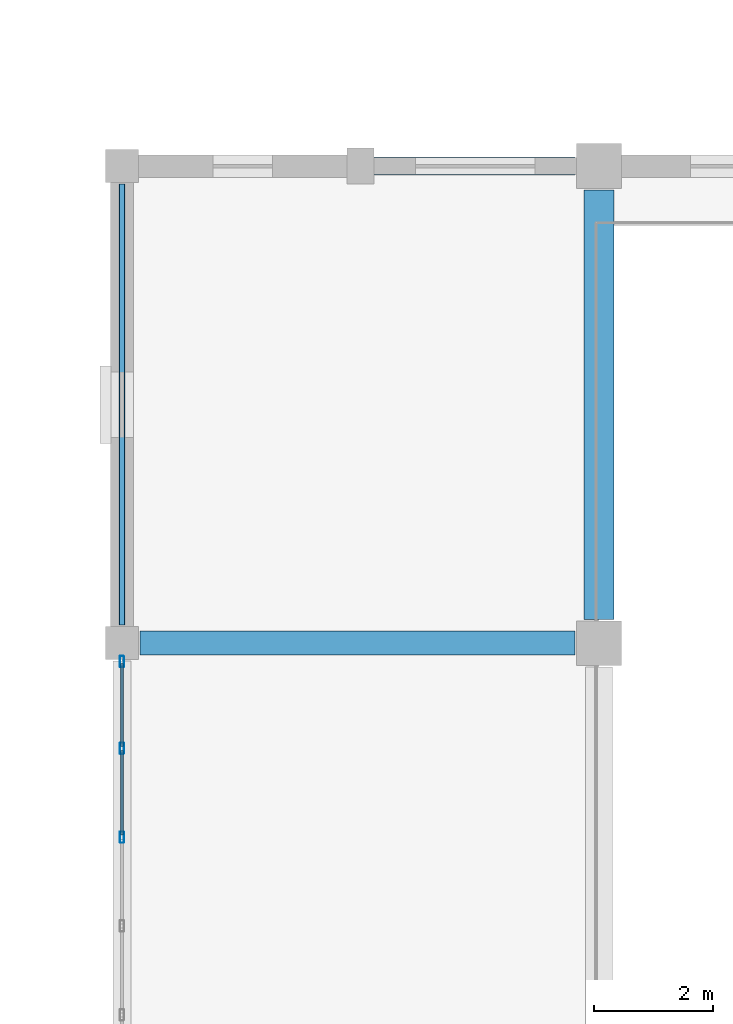
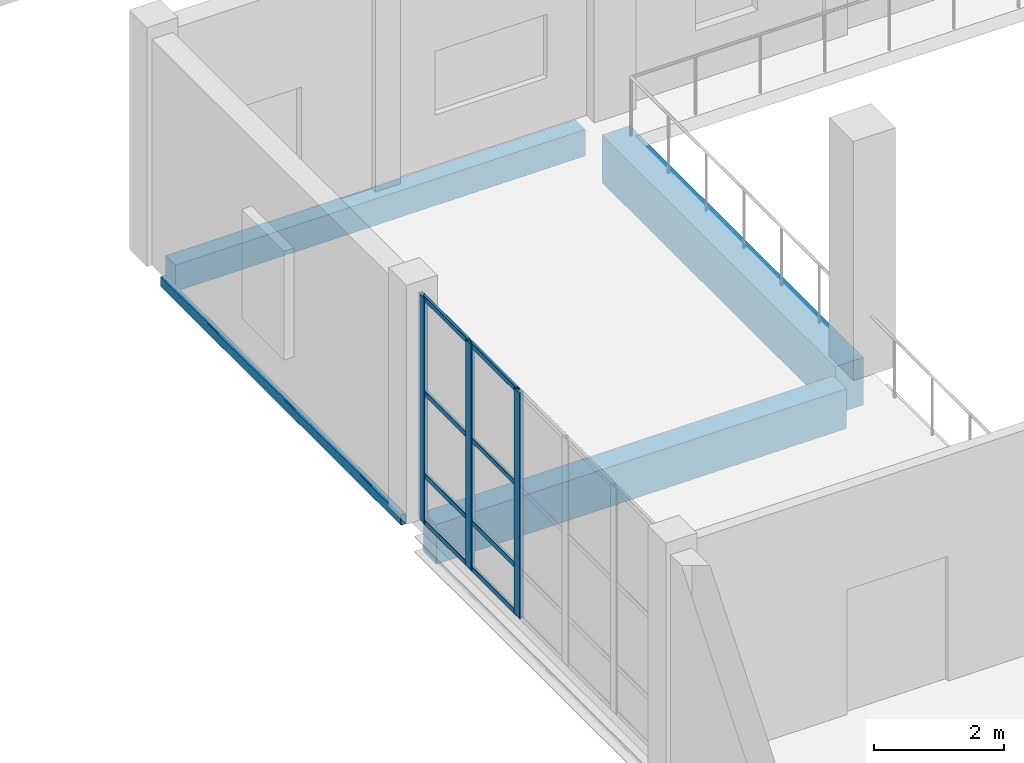
# One storey, part 99 of 183: 11 members, 4 beams, 1 element without a shape of its own.
"""IFC4 building model written with IfcOpenShell, lengths in metres."""

from ifc_helpers import new_model, si_unit, direction, frame, origin, origin_2d, place, context, subcontext, project, spatial, rectangle, hollow_rectangle, extrude, material, material_profile, profile_set, type_object, element, aggregate, save


model = new_model("IFC4")

# Units and contexts
model_context = context("Model", 3, precision=1e-05, world=origin(), true_north=direction((0.0, 1.0)))
body_context = subcontext(model_context, "Body", "Model", "MODEL_VIEW")
ifc_project = project(units=[si_unit("LENGTHUNIT", "METRE"), si_unit("AREAUNIT", "SQUARE_METRE"), si_unit("VOLUMEUNIT", "CUBIC_METRE"), si_unit("PLANEANGLEUNIT", "RADIAN"), si_unit("MASSUNIT", "GRAM", prefix="KILO")], contexts=[model_context])

# Site, building, storey
site_placement = place(None, origin())
site = spatial("IfcSite", under=ifc_project, at=site_placement, CompositionType="ELEMENT")
building_placement = place(site_placement, origin())
building = spatial("IfcBuilding", under=site, at=building_placement, Name="Luwemba Playhouse", CompositionType="ELEMENT")
storey_placement = place(building_placement, frame((0.0, 0.0, 4.800048828125)))
storey = spatial("IfcBuildingStorey", under=building, at=storey_placement, Name="L01", CompositionType="ELEMENT", Elevation=4.800048828125)

# Beams
ifc_material_1 = material(Name="Concrete C40/50", Category="concrete")
ifc_material_profile_1 = material_profile(ifc_material_1, rectangle(XDim=0.39990234375, YDim=0.75, at=origin_2d()))
ifc_profile_set_1 = profile_set([ifc_material_profile_1], Name="Concrete C40/50")
beam_type_1 = type_object("IfcBeamType", Name="BM-RB03", PredefinedType="BEAM", material=ifc_profile_set_1)
beam_1_placement = place(storey_placement, frame((132.300048828125, 52.0, -0.625), z_axis=(1.0, 0.0, 0.0), x_axis=(0.0, 1.0, 0.0)))
element("IfcBeam", 1, at=beam_1_placement, inside=storey, type_object=beam_type_1, Name="L01 grid girder 0414", PredefinedType="BEAM", context=body_context, shape_type="SweptSolid", body=[
    extrude(rectangle(XDim=0.39990234375, YDim=0.75, at=origin_2d()), origin(), (0.0, 0.0, 1.0), 7.300048828125),
])
ifc_material_profile_2 = material_profile(ifc_material_1, rectangle(XDim=0.5, YDim=0.89990234375, at=origin_2d()))
ifc_profile_set_2 = profile_set([ifc_material_profile_2], Name="Concrete C40/50")
beam_type_2 = type_object("IfcBeamType", Name="BM-RB07", PredefinedType="BEAM", material=ifc_profile_set_2)
beam_2_placement = place(storey_placement, frame((140.0, 52.39990234375, -0.699951171875), z_axis=(0.0, 1.0, 0.0), x_axis=(-1.0, 0.0, 0.0)))
element("IfcBeam", 2, at=beam_2_placement, inside=storey, type_object=beam_type_2, Name="L01 transverse girder 0426", PredefinedType="BEAM", context=body_context, shape_type="SweptSolid", body=[
    extrude(rectangle(XDim=0.5, YDim=0.89990234375, at=origin_2d()), origin(), (0.0, 0.0, 1.0), 7.2001953125),
])
ifc_material_profile_3 = material_profile(ifc_material_1, rectangle(XDim=0.300048828125, YDim=0.5, at=origin_2d()))
ifc_profile_set_3 = profile_set([ifc_material_profile_3], Name="Concrete C40/50")
beam_type_3 = type_object("IfcBeamType", Name="BM-SP1", PredefinedType="SPANDREL", material=ifc_profile_set_3)
beam_3_placement = place(storey_placement, frame((132.300048828125, 60.0, -0.5), z_axis=(1.0, 0.0, 0.0), x_axis=(0.0, 1.0, 0.0)))
element("IfcBeam", 3, at=beam_3_placement, inside=storey, type_object=beam_type_3, Name="L01 grid girder 0416", PredefinedType="SPANDREL", context=body_context, shape_type="SweptSolid", body=[
    extrude(rectangle(XDim=0.300048828125, YDim=0.5, at=origin_2d()), origin(), (0.0, 0.0, 1.0), 7.300048828125),
])
ifc_material_2 = material(Name="Steel S355", Category="steel")
ifc_material_profile_4 = material_profile(ifc_material_2, hollow_rectangle(XDim=0.10009765625, YDim=0.199951171875, WallThickness=0.008056640625, InnerFilletRadius=0.011962890625, OuterFilletRadius=0.02001953125, at=origin_2d()))
ifc_profile_set_4 = profile_set([ifc_material_profile_4], Name="Steel S355")
beam_type_4 = type_object("IfcBeamType", Name="BM-SSP2", PredefinedType="SPANDREL", material=ifc_profile_set_4)
beam_4_placement = place(storey_placement, frame((132.0, 52.300048828125, -0.35009765625), z_axis=(0.0, 1.0, 0.0), x_axis=(-1.0, 0.0, 0.0)))
element("IfcBeam", 4, at=beam_4_placement, inside=storey, type_object=beam_type_4, Name="L01 transverse girder 0423", PredefinedType="SPANDREL", context=body_context, shape_type="SweptSolid", body=[
    extrude(hollow_rectangle(XDim=0.10009765625, YDim=0.199951171875, WallThickness=0.008056640625, InnerFilletRadius=0.011962890625, OuterFilletRadius=0.02001953125, at=origin_2d()), origin(), (0.0, 0.0, 1.0), 7.39990234375),
])

# Curtain wall, members
ifc_material_3 = material(Name="Solar-control double glazing", Category="glass")
curtain_wall_type = type_object("IfcCurtainWallType", Name="CW-CW73", PredefinedType="USERDEFINED", material=ifc_material_3)
curtain_wall_placement = place(storey_placement, origin())
curtain_wall = element("IfcCurtainWall", 5, at=curtain_wall_placement, inside=storey, type_object=curtain_wall_type, Name="L01 V3 unitised curtain wall 105", ObjectType="UNITISED GLAZING", PredefinedType="USERDEFINED")
ifc_material_4 = material(Name="Aluminium 6063-T6", Category="aluminium")
ifc_material_profile_5 = material_profile(ifc_material_4, hollow_rectangle(XDim=0.070068359375, YDim=0.18994140625, WallThickness=0.0048828125, InnerFilletRadius=0.007568359375, OuterFilletRadius=0.012451171875, at=origin_2d()))
ifc_profile_set_5 = profile_set([ifc_material_profile_5], Name="Aluminium 6063-T6")
member_type_1 = type_object("IfcMemberType", Name="CWM-M4", PredefinedType="MULLION", material=ifc_profile_set_5)
member_1_placement = place(storey_placement, frame((132.0, 48.7451171875, 0.0), z_axis=(0.0, 0.0, 1.0), x_axis=(-1.0, 0.0, 0.0)))
member_1 = element("IfcMember", 6, at=member_1_placement, type_object=member_type_1, Name="CW73 mullion 4", PredefinedType="MULLION", context=body_context, shape_type="SweptSolid", body=[
    extrude(hollow_rectangle(XDim=0.070068359375, YDim=0.18994140625, WallThickness=0.0048828125, InnerFilletRadius=0.007568359375, OuterFilletRadius=0.012451171875, at=origin_2d()), origin(), (0.0, 0.0, 1.0), 4.25),
])
member_2_placement = place(storey_placement, frame((132.0, 50.235107421875, 0.0), z_axis=(0.0, 0.0, 1.0), x_axis=(-1.0, 0.0, 0.0)))
member_2 = element("IfcMember", 7, at=member_2_placement, type_object=member_type_1, Name="CW73 mullion 5", PredefinedType="MULLION", context=body_context, shape_type="SweptSolid", body=[
    extrude(hollow_rectangle(XDim=0.070068359375, YDim=0.18994140625, WallThickness=0.0048828125, InnerFilletRadius=0.007568359375, OuterFilletRadius=0.012451171875, at=origin_2d()), origin(), (0.0, 0.0, 1.0), 4.25),
])
member_3_placement = place(storey_placement, frame((132.0, 51.68994140625, 0.0), z_axis=(0.0, 0.0, 1.0), x_axis=(-1.0, 0.0, 0.0)))
member_3 = element("IfcMember", 8, at=member_3_placement, type_object=member_type_1, Name="CW73 mullion 6", PredefinedType="MULLION", context=body_context, shape_type="SweptSolid", body=[
    extrude(hollow_rectangle(XDim=0.070068359375, YDim=0.18994140625, WallThickness=0.0048828125, InnerFilletRadius=0.007568359375, OuterFilletRadius=0.012451171875, at=origin_2d()), origin(), (0.0, 0.0, 1.0), 4.25),
])
ifc_material_profile_6 = material_profile(ifc_material_4, hollow_rectangle(XDim=0.050048828125, YDim=0.10009765625, WallThickness=0.00341796875, InnerFilletRadius=0.00537109375, OuterFilletRadius=0.0087890625, at=origin_2d()))
ifc_profile_set_6 = profile_set([ifc_material_profile_6], Name="Aluminium 6063-T6")
member_type_2 = type_object("IfcMemberType", Name="CWT-T4", PredefinedType="USERDEFINED", material=ifc_profile_set_6)
member_4_placement = place(storey_placement, frame((132.0, 48.780029296875, 0.02490234375), z_axis=(0.0, 1.0, 0.0), x_axis=(-1.0, 0.0, 0.0)))
member_4 = element("IfcMember", 9, at=member_4_placement, type_object=member_type_2, Name="CW73 transom 4.1", ObjectType="TRANSOM", PredefinedType="USERDEFINED", context=body_context, shape_type="SweptSolid", body=[
    extrude(hollow_rectangle(XDim=0.050048828125, YDim=0.10009765625, WallThickness=0.00341796875, InnerFilletRadius=0.00537109375, OuterFilletRadius=0.0087890625, at=origin_2d()), origin(), (0.0, 0.0, 1.0), 1.419921875),
])
member_5_placement = place(storey_placement, frame((132.0, 48.780029296875, 0.89990234375), z_axis=(0.0, 1.0, 0.0), x_axis=(-1.0, 0.0, 0.0)))
member_5 = element("IfcMember", 10, at=member_5_placement, type_object=member_type_2, Name="CW73 transom 4.2", ObjectType="TRANSOM", PredefinedType="USERDEFINED", context=body_context, shape_type="SweptSolid", body=[
    extrude(hollow_rectangle(XDim=0.050048828125, YDim=0.10009765625, WallThickness=0.00341796875, InnerFilletRadius=0.00537109375, OuterFilletRadius=0.0087890625, at=origin_2d()), origin(), (0.0, 0.0, 1.0), 1.419921875),
])
member_6_placement = place(storey_placement, frame((132.0, 48.780029296875, 2.449951171875), z_axis=(0.0, 1.0, 0.0), x_axis=(-1.0, 0.0, 0.0)))
member_6 = element("IfcMember", 11, at=member_6_placement, type_object=member_type_2, Name="CW73 transom 4.3", ObjectType="TRANSOM", PredefinedType="USERDEFINED", context=body_context, shape_type="SweptSolid", body=[
    extrude(hollow_rectangle(XDim=0.050048828125, YDim=0.10009765625, WallThickness=0.00341796875, InnerFilletRadius=0.00537109375, OuterFilletRadius=0.0087890625, at=origin_2d()), origin(), (0.0, 0.0, 1.0), 1.419921875),
])
member_7_placement = place(storey_placement, frame((132.0, 48.780029296875, 4.224853515625), z_axis=(0.0, 1.0, 0.0), x_axis=(-1.0, 0.0, 0.0)))
member_7 = element("IfcMember", 12, at=member_7_placement, type_object=member_type_2, Name="CW73 transom 4.4", ObjectType="TRANSOM", PredefinedType="USERDEFINED", context=body_context, shape_type="SweptSolid", body=[
    extrude(hollow_rectangle(XDim=0.050048828125, YDim=0.10009765625, WallThickness=0.00341796875, InnerFilletRadius=0.00537109375, OuterFilletRadius=0.0087890625, at=origin_2d()), origin(), (0.0, 0.0, 1.0), 1.419921875),
])
member_8_placement = place(storey_placement, frame((132.0, 50.27001953125, 0.02490234375), z_axis=(0.0, 1.0, 0.0), x_axis=(-1.0, 0.0, 0.0)))
member_8 = element("IfcMember", 13, at=member_8_placement, type_object=member_type_2, Name="CW73 transom 5.1", ObjectType="TRANSOM", PredefinedType="USERDEFINED", context=body_context, shape_type="SweptSolid", body=[
    extrude(hollow_rectangle(XDim=0.050048828125, YDim=0.10009765625, WallThickness=0.00341796875, InnerFilletRadius=0.00537109375, OuterFilletRadius=0.0087890625, at=origin_2d()), origin(), (0.0, 0.0, 1.0), 1.385009765625),
])
member_9_placement = place(storey_placement, frame((132.0, 50.27001953125, 0.89990234375), z_axis=(0.0, 1.0, 0.0), x_axis=(-1.0, 0.0, 0.0)))
member_9 = element("IfcMember", 14, at=member_9_placement, type_object=member_type_2, Name="CW73 transom 5.2", ObjectType="TRANSOM", PredefinedType="USERDEFINED", context=body_context, shape_type="SweptSolid", body=[
    extrude(hollow_rectangle(XDim=0.050048828125, YDim=0.10009765625, WallThickness=0.00341796875, InnerFilletRadius=0.00537109375, OuterFilletRadius=0.0087890625, at=origin_2d()), origin(), (0.0, 0.0, 1.0), 1.385009765625),
])
member_10_placement = place(storey_placement, frame((132.0, 50.27001953125, 2.449951171875), z_axis=(0.0, 1.0, 0.0), x_axis=(-1.0, 0.0, 0.0)))
member_10 = element("IfcMember", 15, at=member_10_placement, type_object=member_type_2, Name="CW73 transom 5.3", ObjectType="TRANSOM", PredefinedType="USERDEFINED", context=body_context, shape_type="SweptSolid", body=[
    extrude(hollow_rectangle(XDim=0.050048828125, YDim=0.10009765625, WallThickness=0.00341796875, InnerFilletRadius=0.00537109375, OuterFilletRadius=0.0087890625, at=origin_2d()), origin(), (0.0, 0.0, 1.0), 1.385009765625),
])
member_11_placement = place(storey_placement, frame((132.0, 50.27001953125, 4.224853515625), z_axis=(0.0, 1.0, 0.0), x_axis=(-1.0, 0.0, 0.0)))
member_11 = element("IfcMember", 16, at=member_11_placement, type_object=member_type_2, Name="CW73 transom 5.4", ObjectType="TRANSOM", PredefinedType="USERDEFINED", context=body_context, shape_type="SweptSolid", body=[
    extrude(hollow_rectangle(XDim=0.050048828125, YDim=0.10009765625, WallThickness=0.00341796875, InnerFilletRadius=0.00537109375, OuterFilletRadius=0.0087890625, at=origin_2d()), origin(), (0.0, 0.0, 1.0), 1.385009765625),
])
aggregate(curtain_wall, [member_1, member_2, member_3, member_4, member_5, member_6, member_7, member_8, member_9, member_10, member_11])

save(model, "model.ifc")
